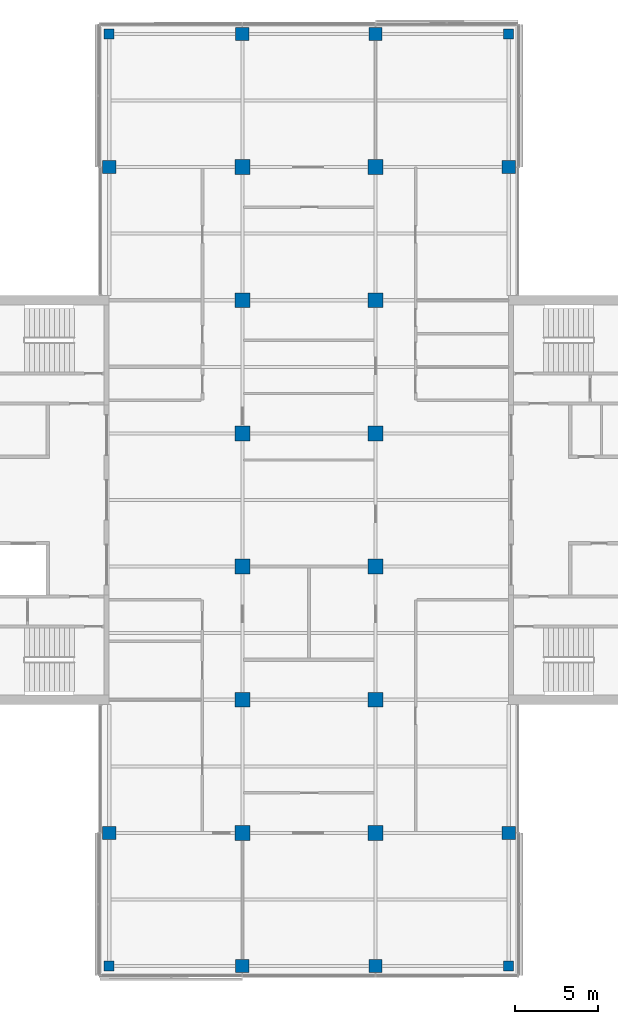
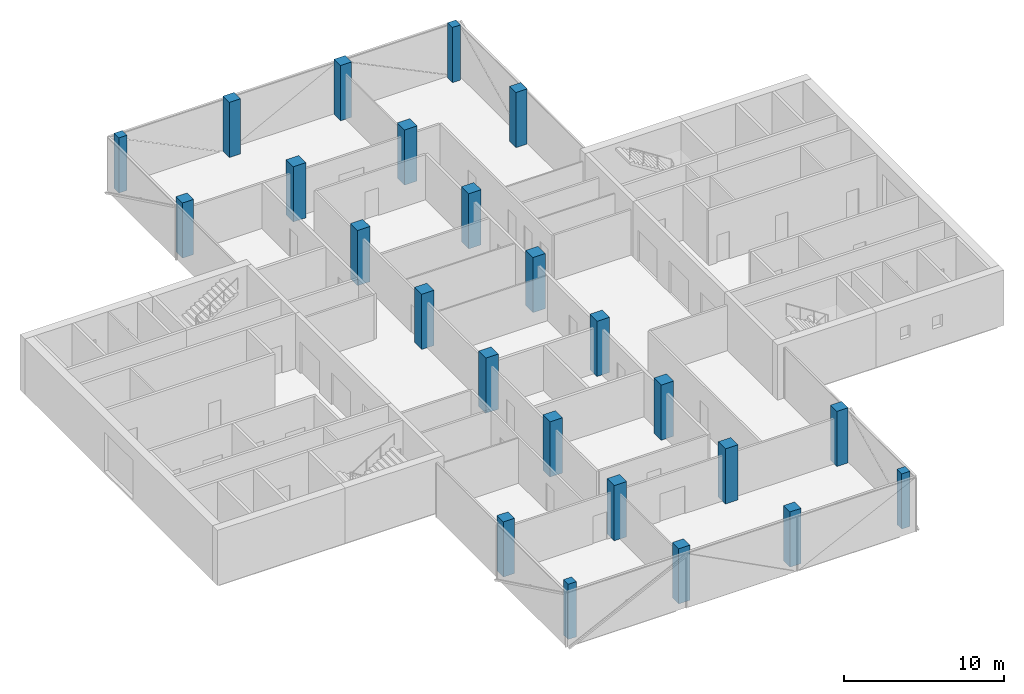
# One storey, part 1 of 15: 24 columns.
"""IFC4 building model written with IfcOpenShell, lengths in metres."""

from ifc_helpers import new_model, si_unit, direction, frame, origin, origin_2d, place, context, subcontext, project, spatial, rectangle, extrude, material, material_profile, profile_set, type_object, element, save


model = new_model("IFC4")

# Units and contexts
model_context = context("Model", 3, precision=1e-05, world=origin(), true_north=direction((0.0, 1.0)))
body_context = subcontext(model_context, "Body", "Model", "MODEL_VIEW")
ifc_project = project(units=[si_unit("LENGTHUNIT", "METRE"), si_unit("AREAUNIT", "SQUARE_METRE"), si_unit("VOLUMEUNIT", "CUBIC_METRE"), si_unit("PLANEANGLEUNIT", "RADIAN"), si_unit("MASSUNIT", "GRAM", prefix="KILO")], contexts=[model_context])

# Site, building, storey
site_placement = place(None, origin())
site = spatial("IfcSite", under=ifc_project, at=site_placement, CompositionType="ELEMENT")
building_placement = place(site_placement, origin())
building = spatial("IfcBuilding", under=site, at=building_placement, Name="Crosswind Convention Tower", CompositionType="ELEMENT")
storey_placement = place(building_placement, frame((0.0, 0.0, 229.300048828125)))
storey = spatial("IfcBuildingStorey", under=building, at=storey_placement, Name="L49", CompositionType="ELEMENT", Elevation=229.300048828125)

# Columns
ifc_material = material(Name="Concrete C60/75", Category="concrete")
ifc_material_profile_1 = material_profile(ifc_material, rectangle(XDim=0.60009765625, YDim=0.60009765625, at=origin_2d()), Name="RC 600X600")
ifc_profile_set_1 = profile_set([ifc_material_profile_1], Name="Concrete C60/75")
column_type_1 = type_object("IfcColumnType", Name="Column RC 600X600", PredefinedType="COLUMN", material=ifc_profile_set_1)
for number, where, z_axis, x_axis, name in (
    (1, (113.0, 72.0, 0.0), (0.0, 0.0, 1.0), (1.0, 0.0, 0.0), "C16 L49 5/C"),
    (2, (113.0, 128.0, 0.0), (0.0, 0.0, 1.0), (1.0, 0.0, 0.0), "C16 L49 5/J"),
    (3, (137.0, 72.0, 0.0), (0.0, 0.0, 1.0), (1.0, 0.0, 0.0), "C16 L49 8/C"),
    (4, (137.0, 128.0, 0.0), (0.0, 0.0, 1.0), (1.0, 0.0, 0.0), "C16 L49 8/J"),
):
    element("IfcColumn", number, at=place(storey_placement, frame(where, z_axis=z_axis, x_axis=x_axis)), inside=storey, type_object=column_type_1, Name=name, PredefinedType="COLUMN", context=body_context, shape_type="SweptSolid", body=[
        extrude(rectangle(XDim=0.60009765625, YDim=0.60009765625, at=origin_2d()), origin(), (0.0, 0.0, 1.0), 4.199951171875),
    ])
ifc_material_profile_2 = material_profile(ifc_material, rectangle(XDim=0.800048828125, YDim=0.800048828125, at=origin_2d()), Name="RC 800X800")
ifc_profile_set_2 = profile_set([ifc_material_profile_2], Name="Concrete C60/75")
column_type_2 = type_object("IfcColumnType", Name="Column RC 800X800", PredefinedType="COLUMN", material=ifc_profile_set_2)
for number, where, z_axis, x_axis, name in (
    (5, (113.0, 80.0, 0.0), (0.0, 0.0, 1.0), (1.0, 0.0, 0.0), "C14 L49 5/D"),
    (6, (113.0, 120.0, 0.0), (0.0, 0.0, 1.0), (1.0, 0.0, 0.0), "C14 L49 5/I"),
    (7, (121.0, 72.0, 0.0), (0.0, 0.0, 1.0), (1.0, 0.0, 0.0), "C14 L49 6/C"),
    (8, (121.0, 128.0, 0.0), (0.0, 0.0, 1.0), (1.0, 0.0, 0.0), "C14 L49 6/J"),
    (9, (129.0, 72.0, 0.0), (0.0, 0.0, 1.0), (1.0, 0.0, 0.0), "C14 L49 7/C"),
    (10, (129.0, 128.0, 0.0), (0.0, 0.0, 1.0), (1.0, 0.0, 0.0), "C14 L49 7/J"),
    (11, (137.0, 80.0, 0.0), (0.0, 0.0, 1.0), (1.0, 0.0, 0.0), "C14 L49 8/D"),
    (12, (137.0, 120.0, 0.0), (0.0, 0.0, 1.0), (1.0, 0.0, 0.0), "C14 L49 8/I"),
):
    element("IfcColumn", number, at=place(storey_placement, frame(where, z_axis=z_axis, x_axis=x_axis)), inside=storey, type_object=column_type_2, Name=name, PredefinedType="COLUMN", context=body_context, shape_type="SweptSolid", body=[
        extrude(rectangle(XDim=0.800048828125, YDim=0.800048828125, at=origin_2d()), origin(), (0.0, 0.0, 1.0), 4.199951171875),
    ])
ifc_material_profile_3 = material_profile(ifc_material, rectangle(XDim=0.89990234375, YDim=0.89990234375, at=origin_2d()), Name="RC 900X900")
ifc_profile_set_3 = profile_set([ifc_material_profile_3], Name="Concrete C60/75")
column_type_3 = type_object("IfcColumnType", Name="Column RC 900X900", PredefinedType="COLUMN", material=ifc_profile_set_3)
for number, where, z_axis, x_axis, name in (
    (13, (121.0, 80.0, 0.0), (0.0, 0.0, 1.0), (1.0, 0.0, 0.0), "C13 L49 6/D"),
    (14, (121.0, 88.0, 0.0), (0.0, 0.0, 1.0), (1.0, 0.0, 0.0), "C13 L49 6/E"),
    (15, (121.0, 96.0, 0.0), (0.0, 0.0, 1.0), (1.0, 0.0, 0.0), "C13 L49 6/F"),
    (16, (121.0, 104.0, 0.0), (0.0, 0.0, 1.0), (1.0, 0.0, 0.0), "C13 L49 6/G"),
    (17, (121.0, 112.0, 0.0), (0.0, 0.0, 1.0), (1.0, 0.0, 0.0), "C13 L49 6/H"),
    (18, (121.0, 120.0, 0.0), (0.0, 0.0, 1.0), (1.0, 0.0, 0.0), "C13 L49 6/I"),
    (19, (129.0, 80.0, 0.0), (0.0, 0.0, 1.0), (1.0, 0.0, 0.0), "C13 L49 7/D"),
    (20, (129.0, 88.0, 0.0), (0.0, 0.0, 1.0), (1.0, 0.0, 0.0), "C13 L49 7/E"),
    (21, (129.0, 96.0, 0.0), (0.0, 0.0, 1.0), (1.0, 0.0, 0.0), "C13 L49 7/F"),
    (22, (129.0, 104.0, 0.0), (0.0, 0.0, 1.0), (1.0, 0.0, 0.0), "C13 L49 7/G"),
    (23, (129.0, 112.0, 0.0), (0.0, 0.0, 1.0), (1.0, 0.0, 0.0), "C13 L49 7/H"),
    (24, (129.0, 120.0, 0.0), (0.0, 0.0, 1.0), (1.0, 0.0, 0.0), "C13 L49 7/I"),
):
    element("IfcColumn", number, at=place(storey_placement, frame(where, z_axis=z_axis, x_axis=x_axis)), inside=storey, type_object=column_type_3, Name=name, PredefinedType="COLUMN", context=body_context, shape_type="SweptSolid", body=[
        extrude(rectangle(XDim=0.89990234375, YDim=0.89990234375, at=origin_2d()), origin(), (0.0, 0.0, 1.0), 4.199951171875),
    ])

save(model, "model.ifc")
